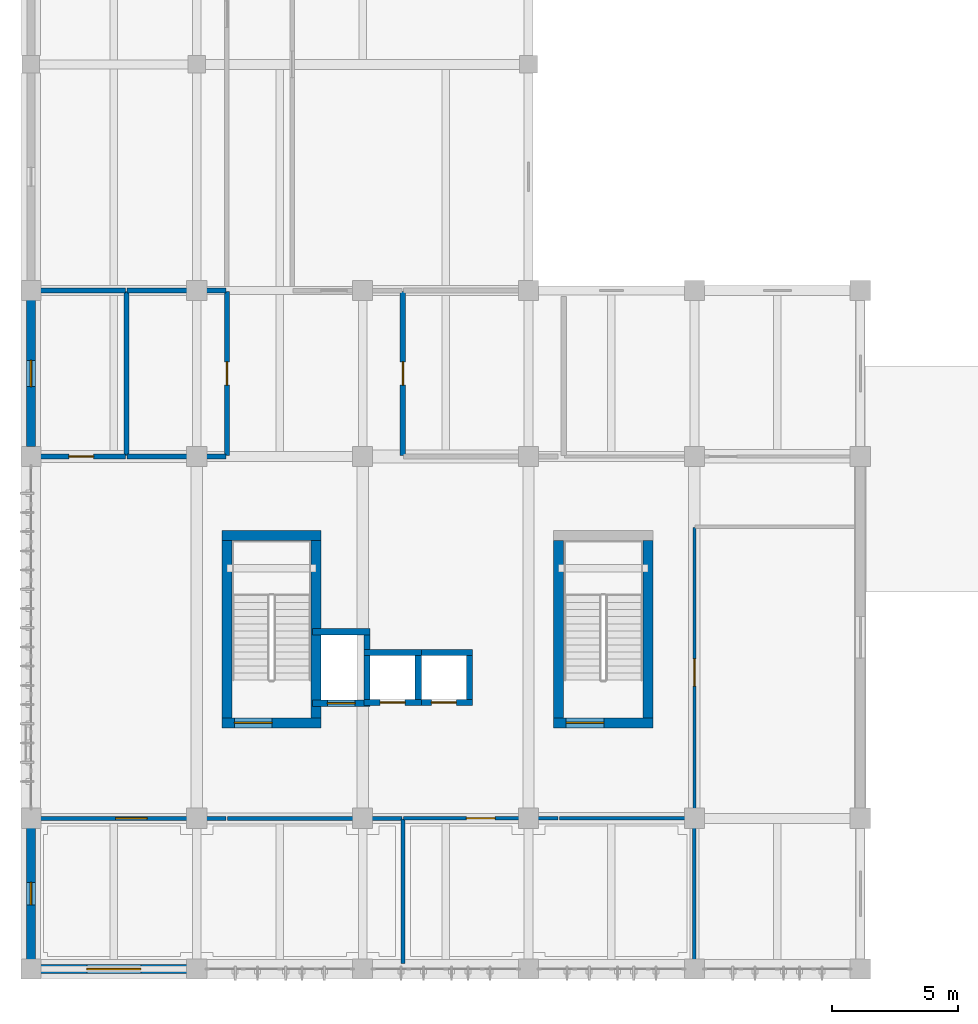
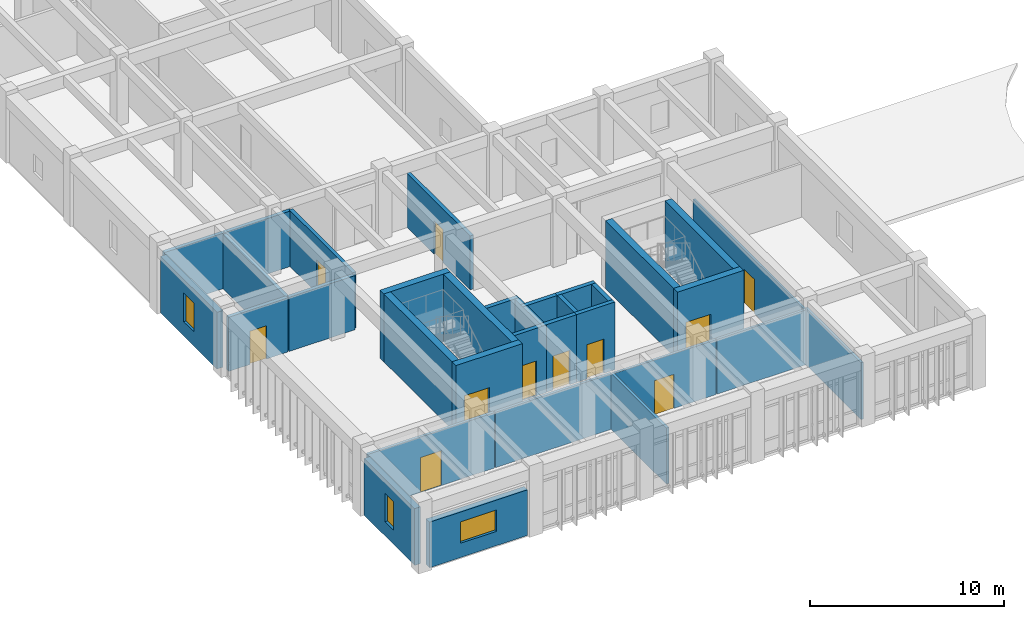
# One storey, part 29 of 34: 33 walls, 11 doors, 3 windows, 14 openings.
"""IFC4 building model written with IfcOpenShell, lengths in metres."""

import ifcopenshell
import ifcopenshell.guid

model = None  # the IFC model being written
_history = None  # IfcOwnerHistory: only IFC2X3 demands one
_inside = {}  # id of a spatial element -> (the spatial element, [elements in it])
_under = {}  # id of a project, library or spatial element -> (it, [spatial elements below it])
_declared = {}  # id of a project -> (the project, [libraries it declares])
_typed = {}  # id of a type object -> (the type object, [elements of that type])
_made_of = {}  # id of a material, layer set ... -> (it, [elements and type objects made of it])


def new_model(schema):
    """Start an empty IFC model of exactly this schema.

    Asked for "IFC4X3", IfcOpenShell would pick the latest addendum, in which some entities
    have other attributes; the version numbers below select the first issue.
    IFC2X3 requires an IfcOwnerHistory on every rooted entity: one is made here for all.
    """
    global model, _history
    if schema == "IFC4X3":
        model = ifcopenshell.file(schema_version=(4, 3, 0, 0))
    else:
        model = ifcopenshell.file(schema=schema)
    _inside.clear()
    _under.clear()
    _declared.clear()
    _typed.clear()
    _made_of.clear()
    _history = None
    if model.schema == "IFC2X3":
        org = make("IfcOrganization", Name="unknown")
        user = make(
            "IfcPersonAndOrganization",
            ThePerson=make("IfcPerson", FamilyName="unknown"),
            TheOrganization=org,
        )
        app = make(
            "IfcApplication",
            ApplicationDeveloper=org,
            Version="unknown",
            ApplicationFullName="unknown",
            ApplicationIdentifier="unknown",
        )
        _history = make(
            "IfcOwnerHistory",
            OwningUser=user,
            OwningApplication=app,
            ChangeAction="ADDED",
            CreationDate=0,
        )
    return model


def make(cls, **values):
    """One entity of the class cls with the attributes given. An attribute that is None is left unset."""
    return model.create_entity(
        cls, **{name: value for name, value in values.items() if value is not None}
    )


def rooted(cls, **values):
    """An entity with a GlobalId (a new one), such as an element, a storey or a relation."""
    return make(cls, GlobalId=ifcopenshell.guid.new(), OwnerHistory=_history, **values)


def si_unit(unit_type, name, prefix=None):
    """IfcSIUnit, for example si_unit("LENGTHUNIT", "METRE", prefix="MILLI")."""
    return make("IfcSIUnit", UnitType=unit_type, Prefix=prefix, Name=name)


def assignment(units):
    """IfcUnitAssignment: the units of a project."""
    return None if units is None else make("IfcUnitAssignment", Units=units)


def point(xyz):
    """IfcCartesianPoint."""
    return None if xyz is None else make("IfcCartesianPoint", Coordinates=xyz)


def direction(xyz):
    """IfcDirection."""
    return None if xyz is None else make("IfcDirection", DirectionRatios=xyz)


def frame(location, z_axis=None, x_axis=None):
    """IfcAxis2Placement3D, a coordinate frame: its origin and axes. An axis left out is left unset."""
    return make(
        "IfcAxis2Placement3D",
        Location=point(location),
        Axis=direction(z_axis),
        RefDirection=direction(x_axis),
    )


def frame_2d(location, x_axis=None):
    """IfcAxis2Placement2D, a coordinate frame in the plane: its origin and x axis."""
    return make(
        "IfcAxis2Placement2D", Location=point(location), RefDirection=direction(x_axis)
    )


def origin():
    """The frame at (0, 0, 0) with its axes left unset."""
    return frame((0.0, 0.0, 0.0))


def place(relative_to, where):
    """IfcLocalPlacement: puts the frame where relative to a parent placement (None: the world)."""
    return make(
        "IfcLocalPlacement", PlacementRelTo=relative_to, RelativePlacement=where
    )


def context(
    kind, dimensions, precision=None, world=None, true_north=None, identifier=None
):
    """IfcGeometricRepresentationContext, for example the 3D "Model" context."""
    return make(
        "IfcGeometricRepresentationContext",
        ContextIdentifier=identifier,
        ContextType=kind,
        CoordinateSpaceDimension=dimensions,
        Precision=precision,
        WorldCoordinateSystem=world,
        TrueNorth=true_north,
    )


def subcontext(parent, identifier, kind, view, scale=None):
    """IfcGeometricRepresentationSubContext, for example "Body" below "Model"."""
    return make(
        "IfcGeometricRepresentationSubContext",
        ContextIdentifier=identifier,
        ContextType=kind,
        ParentContext=parent,
        TargetScale=scale,
        TargetView=view,
    )


def project(units=None, contexts=None):
    """IfcProject with its units and contexts."""
    return rooted(
        "IfcProject",
        Name="project",
        RepresentationContexts=contexts,
        UnitsInContext=assignment(units),
    )


def spatial(cls, under=None, at=None, **own):
    """A site, building, storey or space (cls), placed at a placement, below another one or the project."""
    s = rooted(cls, ObjectPlacement=at, **own)
    if under is not None:
        _under.setdefault(under.id(), (under, []))[1].append(s)
    return s


def profile(cls, at=None, kind="AREA", **sizes):
    """A parametric profile (cls). Its sizes go by their IFC names, for example OverallWidth=200.0."""
    return make(cls, ProfileType=kind, Position=at, **sizes)


def rectangle(**sizes):
    """IfcRectangleProfileDef."""
    return profile("IfcRectangleProfileDef", **sizes)


def extrude(swept, where, along, depth):
    """IfcExtrudedAreaSolid: the profile swept, set in the frame where, extruded along a direction by depth."""
    return make(
        "IfcExtrudedAreaSolid",
        SweptArea=swept,
        Position=where,
        ExtrudedDirection=direction(along),
        Depth=depth,
    )


def shape(context_of_items, identifier, shape_type, items):
    """IfcShapeRepresentation: the items that make up one representation, for example the "Body"."""
    return make(
        "IfcShapeRepresentation",
        ContextOfItems=context_of_items,
        RepresentationIdentifier=identifier,
        RepresentationType=shape_type,
        Items=items,
    )


def material(Name=None, Category=None):
    """IfcMaterial."""
    return make("IfcMaterial", Name=Name, Category=Category)


def layer(
    of_material, thickness, ventilated=None, Name=None, Category=None, Priority=None
):
    """IfcMaterialLayer: one layer of a wall or slab, of a material (None: an air gap)."""
    return make(
        "IfcMaterialLayer",
        Material=of_material,
        LayerThickness=thickness,
        IsVentilated=ventilated,
        Name=Name,
        Category=Category,
        Priority=Priority,
    )


def layer_set(layers, Name=None):
    """IfcMaterialLayerSet."""
    return make("IfcMaterialLayerSet", MaterialLayers=layers, LayerSetName=Name)


def made_of(thing, what):
    """Note that an element or type object is made of a material, layer set ...; save() writes the relation."""
    if what is not None:
        _made_of.setdefault(what.id(), (what, []))[1].append(thing)
    return thing


def type_object(cls, material=None, **own):
    """A type object (cls), such as IfcWallType, which elements share."""
    return made_of(rooted(cls, **own), material)


def element(
    cls,
    number,
    at=None,
    inside=None,
    cuts=None,
    type_object=None,
    material=None,
    context=None,
    identifier="Body",
    shape_type=None,
    held_by="IfcProductDefinitionShape",
    body=None,
    shapes=None,
    **own,
):
    """One element of the class cls, such as IfcWall. Its Tag is "e" and its number.

    at: its placement. inside: the storey or other place that contains it. cuts: it is an
    opening in that element (IfcRelVoidsElement). A single representation is given by context,
    identifier, shape_type and body (its items); several are given by shapes. held_by: the class
    of the entity that holds the representations. save() writes the other relations.
    """
    e = rooted(cls, Tag="e%d" % number, ObjectPlacement=at, **own)
    if body is not None:
        shapes = [shape(context, identifier, shape_type, body)]
    if shapes is not None:
        e.Representation = make(held_by, Representations=shapes)
    if inside is not None:
        _inside.setdefault(inside.id(), (inside, []))[1].append(e)
    if cuts is not None:
        rooted(
            "IfcRelVoidsElement", RelatingBuildingElement=cuts, RelatedOpeningElement=e
        )
    if type_object is not None:
        _typed.setdefault(type_object.id(), (type_object, []))[1].append(e)
    return made_of(e, material)


def fill(opening, filler):
    """IfcRelFillsElement: the door or window that sits in an opening."""
    return rooted(
        "IfcRelFillsElement",
        RelatingOpeningElement=opening,
        RelatedBuildingElement=filler,
    )


def aggregate(whole, parts):
    """IfcRelAggregates: a whole, such as a stair, and the parts it consists of."""
    return rooted("IfcRelAggregates", RelatingObject=whole, RelatedObjects=parts)


def save(model, path):
    """Write the relations noted so far, then the file.

    IfcRelAggregates (storeys below a building ...), IfcRelContainedInSpatialStructure (elements
    in a storey), IfcRelDefinesByType, IfcRelAssociatesMaterial and IfcRelDeclares: one each for
    every whole, place, type object, material and project.
    """
    for whole, parts in _under.values():
        aggregate(whole, parts)
    for where, things in _inside.values():
        rooted(
            "IfcRelContainedInSpatialStructure",
            RelatedElements=things,
            RelatingStructure=where,
        )
    for kind, things in _typed.values():
        rooted("IfcRelDefinesByType", RelatedObjects=things, RelatingType=kind)
    for what, things in _made_of.values():
        rooted("IfcRelAssociatesMaterial", RelatedObjects=things, RelatingMaterial=what)
    for by, libraries in _declared.values():
        rooted("IfcRelDeclares", RelatingContext=by, RelatedDefinitions=libraries)
    model.write(path)


model = new_model("IFC4")

# Units and contexts
model_context = context("Model", 3, precision=1e-05, world=origin(), true_north=direction((0.0, 1.0)))
body_context = subcontext(model_context, "Body", "Model", "MODEL_VIEW")
ifc_project = project(units=[si_unit("LENGTHUNIT", "METRE"), si_unit("AREAUNIT", "SQUARE_METRE"), si_unit("VOLUMEUNIT", "CUBIC_METRE"), si_unit("PLANEANGLEUNIT", "RADIAN"), si_unit("MASSUNIT", "GRAM", prefix="KILO")], contexts=[model_context])

# Site, building, storey
site_placement = place(None, origin())
site = spatial("IfcSite", under=ifc_project, at=site_placement, CompositionType="ELEMENT")
building_placement = place(site_placement, origin())
building = spatial("IfcBuilding", under=site, at=building_placement, Name="Miralva Faculty of Natural Sciences", CompositionType="ELEMENT")
storey_placement = place(building_placement, frame((0.0, 0.0, 24.0)))
storey = spatial("IfcBuildingStorey", under=building, at=storey_placement, Name="L05", CompositionType="ELEMENT", Elevation=24.0)

# Wall, opening, door
ifc_material_1 = material(Name="Concrete C50/60", Category="concrete")
ifc_layer_1 = layer(ifc_material_1, 0.39990234375, Name="WL-CW01")
ifc_layer_set_1 = layer_set([ifc_layer_1], Name="Concrete C50/60")
wall_type_1 = type_object("IfcWallType", Name="WL-CW01", PredefinedType="SHEAR", material=ifc_layer_set_1)
wall_1_placement = place(storey_placement, frame((10.60009765625, 12.800048828125, 0.0), z_axis=(0.0, 0.0, 1.0), x_axis=(1.0, 0.0, 0.0)))
wall_1 = element("IfcWall", 1, at=wall_1_placement, inside=storey, type_object=wall_type_1, Name="Core C1 shear wall south L05", PredefinedType="SHEAR", context=body_context, shape_type="SweptSolid", body=[
    extrude(rectangle(XDim=3.949951171875, YDim=0.39990234375, at=frame_2d((1.97509765625, 0.0))), origin(), (0.0, 0.0, 1.0), 4.280029296875),
])
opening_1_placement = place(wall_1_placement, frame((0.5, 0.0, 0.0)))
opening_1 = element("IfcOpeningElement", 2, at=opening_1_placement, cuts=wall_1, Name="Opening D-11", PredefinedType="OPENING", context=body_context, shape_type="SweptSolid", body=[
    extrude(rectangle(XDim=1.5, YDim=2.199951171875, at=frame_2d((0.75, 1.10009765625))), frame((0.0, 0.2099609375, 0.0), z_axis=(0.0, -1.0, 0.0), x_axis=(1.0, 0.0, 0.0)), (0.0, 0.0, 1.0), 0.419921875),
])
ifc_material_2 = material(Name="Galvanised steel", Category="steel")
door_type_1 = type_object("IfcDoorType", Name="DR-DI11", OperationType="DOUBLE_DOOR_SINGLE_SWING", PredefinedType="DOOR", material=ifc_material_2)
door_1_placement = place(opening_1_placement, frame((1.5, 0.0, 0.0), z_axis=(0.0, 0.0, 1.0), x_axis=(-1.0, 0.0, 0.0)))
door_1 = element("IfcDoor", 3, at=door_1_placement, inside=storey, type_object=door_type_1, Name="Protected exit stair door Core C1 L05", OperationType="DOUBLE_DOOR_SINGLE_SWING", OverallHeight=2.199951171875, OverallWidth=1.5, PredefinedType="DOOR", context=body_context, shape_type="SweptSolid", body=[
    extrude(rectangle(XDim=1.5, YDim=2.199951171875, at=frame_2d((0.75, 1.10009765625))), frame((0.0, 0.02490234375, 0.0), z_axis=(0.0, -1.0, 0.0), x_axis=(1.0, 0.0, 0.0)), (0.0, 0.0, 1.0), 0.050048828125),
])
fill(opening_1, door_1)

# Walls
wall_2_placement = place(storey_placement, frame((10.60009765625, 20.25, 0.0), z_axis=(0.0, 0.0, 1.0), x_axis=(1.0, 0.0, 0.0)))
element("IfcWall", 4, at=wall_2_placement, inside=storey, type_object=wall_type_1, Name="Core C1 shear wall north L05", PredefinedType="SHEAR", context=body_context, shape_type="SweptSolid", body=[
    extrude(rectangle(XDim=3.949951171875, YDim=0.39990234375, at=frame_2d((1.97509765625, 0.0))), origin(), (0.0, 0.0, 1.0), 4.280029296875),
])
for number, where, z_axis, x_axis, name in (
    (5, (10.800048828125, 13.0, 0.0), (0.0, 0.0, 1.0), (0.0, 1.0, 0.0), "Core C1 shear wall west L05"),
    (6, (14.35009765625, 13.0, 0.0), (0.0, 0.0, 1.0), (0.0, 1.0, 0.0), "Core C1 shear wall east L05"),
):
    element("IfcWall", number, at=place(storey_placement, frame(where, z_axis=z_axis, x_axis=x_axis)), inside=storey, type_object=wall_type_1, Name=name, PredefinedType="SHEAR", context=body_context, shape_type="SweptSolid", body=[
        extrude(rectangle(XDim=7.050048828125, YDim=0.39990234375, at=frame_2d((3.52490234375, 0.0))), origin(), (0.0, 0.0, 1.0), 4.280029296875),
    ])

# Wall, opening, door
wall_3_placement = place(storey_placement, frame((23.800048828125, 12.800048828125, 0.0), z_axis=(0.0, 0.0, 1.0), x_axis=(1.0, 0.0, 0.0)))
wall_3 = element("IfcWall", 7, at=wall_3_placement, inside=storey, type_object=wall_type_1, Name="Core C1B shear wall south L05", PredefinedType="SHEAR", context=body_context, shape_type="SweptSolid", body=[
    extrude(rectangle(XDim=3.949951171875, YDim=0.39990234375, at=frame_2d((1.97509765625, 0.0))), origin(), (0.0, 0.0, 1.0), 4.280029296875),
])
opening_2_placement = place(wall_3_placement, frame((0.5, 0.0, 0.0)))
opening_2 = element("IfcOpeningElement", 8, at=opening_2_placement, cuts=wall_3, Name="Opening D-11", PredefinedType="OPENING", context=body_context, shape_type="SweptSolid", body=[
    extrude(rectangle(XDim=1.5, YDim=2.199951171875, at=frame_2d((0.75, 1.10009765625))), frame((0.0, 0.2099609375, 0.0), z_axis=(0.0, -1.0, 0.0), x_axis=(1.0, 0.0, 0.0)), (0.0, 0.0, 1.0), 0.419921875),
])
door_2_placement = place(opening_2_placement, frame((1.5, 0.0, 0.0), z_axis=(0.0, 0.0, 1.0), x_axis=(-1.0, 0.0, 0.0)))
door_2 = element("IfcDoor", 9, at=door_2_placement, inside=storey, type_object=door_type_1, Name="Protected exit stair door Core C1B L05", OperationType="DOUBLE_DOOR_SINGLE_SWING", OverallHeight=2.199951171875, OverallWidth=1.5, PredefinedType="DOOR", context=body_context, shape_type="SweptSolid", body=[
    extrude(rectangle(XDim=1.5, YDim=2.199951171875, at=frame_2d((0.75, 1.10009765625))), frame((0.0, 0.02490234375, 0.0), z_axis=(0.0, -1.0, 0.0), x_axis=(1.0, 0.0, 0.0)), (0.0, 0.0, 1.0), 0.050048828125),
])
fill(opening_2, door_2)

# Walls
for number, where, z_axis, x_axis, name in (
    (10, (24.0, 13.0, 0.0), (0.0, 0.0, 1.0), (0.0, 1.0, 0.0), "Core C1B shear wall west L05"),
    (11, (27.550048828125, 13.0, 0.0), (0.0, 0.0, 1.0), (0.0, 1.0, 0.0), "Core C1B shear wall east L05"),
):
    element("IfcWall", number, at=place(storey_placement, frame(where, z_axis=z_axis, x_axis=x_axis)), inside=storey, type_object=wall_type_1, Name=name, PredefinedType="SHEAR", context=body_context, shape_type="SweptSolid", body=[
        extrude(rectangle(XDim=7.050048828125, YDim=0.39990234375, at=frame_2d((3.52490234375, 0.0))), origin(), (0.0, 0.0, 1.0), 4.280029296875),
    ])

# Wall, opening, door
ifc_material_3 = material(Name="Concrete C40/50", Category="concrete")
ifc_layer_2 = layer(ifc_material_3, 0.25, Name="WL-CW04")
ifc_layer_set_2 = layer_set([ifc_layer_2], Name="Concrete C40/50")
wall_type_2 = type_object("IfcWallType", Name="WL-CW04", PredefinedType="SHEAR", material=ifc_layer_set_2)
wall_4_placement = place(storey_placement, frame((14.205078125, 13.580078125, 0.0), z_axis=(0.0, 0.0, 1.0), x_axis=(1.0, 0.0, 0.0)))
wall_4 = element("IfcWall", 12, at=wall_4_placement, inside=storey, type_object=wall_type_2, Name="Lift L-01 hoistway front wall L05", PredefinedType="SHEAR", context=body_context, shape_type="SweptSolid", body=[
    extrude(rectangle(XDim=2.2900390625, YDim=0.25, at=frame_2d((1.14501953125, 0.0))), origin(), (0.0, 0.0, 1.0), 4.260009765625),
])
opening_3_placement = place(wall_4_placement, frame((0.594970703125, 0.0, 0.0)))
opening_3 = element("IfcOpeningElement", 13, at=opening_3_placement, cuts=wall_4, Name="Opening LD-01", PredefinedType="OPENING", context=body_context, shape_type="SweptSolid", body=[
    extrude(rectangle(XDim=1.10009765625, YDim=2.199951171875, at=frame_2d((0.550048828125, 1.10009765625))), frame((0.0, 0.135009765625, 0.0), z_axis=(0.0, -1.0, 0.0), x_axis=(1.0, 0.0, 0.0)), (0.0, 0.0, 1.0), 0.27001953125),
])
door_type_2 = type_object("IfcDoorType", Name="DR-LD01", OperationType="SLIDING_TO_LEFT", PredefinedType="DOOR", material=ifc_material_2)
door_3_placement = place(opening_3_placement, frame((1.10009765625, 0.0, 0.0), z_axis=(0.0, 0.0, 1.0), x_axis=(-1.0, 0.0, 0.0)))
door_3 = element("IfcDoor", 14, at=door_3_placement, inside=storey, type_object=door_type_2, Name="Lift L-01 sliding landing door L05", OperationType="SLIDING_TO_LEFT", OverallHeight=2.199951171875, OverallWidth=1.10009765625, PredefinedType="DOOR", context=body_context, shape_type="SweptSolid", body=[
    extrude(rectangle(XDim=1.10009765625, YDim=2.199951171875, at=frame_2d((0.550048828125, 1.10009765625))), frame((0.0, 0.02490234375, 0.0), z_axis=(0.0, -1.0, 0.0), x_axis=(1.0, 0.0, 0.0)), (0.0, 0.0, 1.0), 0.050048828125),
])
fill(opening_3, door_3)

# Walls
wall_5_placement = place(storey_placement, frame((14.205078125, 16.419921875, 0.0), z_axis=(0.0, 0.0, 1.0), x_axis=(1.0, 0.0, 0.0)))
element("IfcWall", 15, at=wall_5_placement, inside=storey, type_object=wall_type_2, Name="Lift L-01 hoistway rear wall L05", PredefinedType="SHEAR", context=body_context, shape_type="SweptSolid", body=[
    extrude(rectangle(XDim=2.2900390625, YDim=0.25, at=frame_2d((1.14501953125, 0.0))), origin(), (0.0, 0.0, 1.0), 4.260009765625),
])
wall_6_placement = place(storey_placement, frame((16.3701171875, 13.705078125, 0.0), z_axis=(0.0, 0.0, 1.0), x_axis=(0.0, 1.0, 0.0)))
element("IfcWall", 16, at=wall_6_placement, inside=storey, type_object=wall_type_2, Name="Lift L-01 hoistway E wall L05", PredefinedType="SHEAR", context=body_context, shape_type="SweptSolid", body=[
    extrude(rectangle(XDim=2.58984375, YDim=0.25, at=frame_2d((1.294921875, 0.0))), origin(), (0.0, 0.0, 1.0), 4.260009765625),
])

# Wall, opening, door
wall_7_placement = place(storey_placement, frame((16.2451171875, 13.60498046875, 0.0), z_axis=(0.0, 0.0, 1.0), x_axis=(1.0, 0.0, 0.0)))
wall_7 = element("IfcWall", 17, at=wall_7_placement, inside=storey, type_object=wall_type_2, Name="Lift L-02 hoistway front wall L05", PredefinedType="SHEAR", context=body_context, shape_type="SweptSolid", body=[
    extrude(rectangle(XDim=2.289794921875, YDim=0.25, at=frame_2d((1.14501953125, 0.0))), origin(), (0.0, 0.0, 1.0), 4.260009765625),
])
opening_4_placement = place(wall_7_placement, frame((0.64501953125, 0.0, 0.0)))
opening_4 = element("IfcOpeningElement", 18, at=opening_4_placement, cuts=wall_7, Name="Opening LD-02", PredefinedType="OPENING", context=body_context, shape_type="SweptSolid", body=[
    extrude(rectangle(XDim=1.0, YDim=2.14990234375, at=frame_2d((0.5, 1.074951171875))), frame((0.0, 0.135009765625, 0.0), z_axis=(0.0, -1.0, 0.0), x_axis=(1.0, 0.0, 0.0)), (0.0, 0.0, 1.0), 0.27001953125),
])
door_type_3 = type_object("IfcDoorType", Name="DR-LD02", OperationType="SLIDING_TO_LEFT", PredefinedType="DOOR", material=ifc_material_2)
door_4_placement = place(opening_4_placement, frame((1.0, 0.0, 0.0), z_axis=(0.0, 0.0, 1.0), x_axis=(-1.0, 0.0, 0.0)))
door_4 = element("IfcDoor", 19, at=door_4_placement, inside=storey, type_object=door_type_3, Name="Lift L-02 sliding landing door L05", OperationType="SLIDING_TO_LEFT", OverallHeight=2.14990234375, OverallWidth=1.0, PredefinedType="DOOR", context=body_context, shape_type="SweptSolid", body=[
    extrude(rectangle(XDim=1.0, YDim=2.14990234375, at=frame_2d((0.5, 1.074951171875))), frame((0.0, 0.02490234375, 0.0), z_axis=(0.0, -1.0, 0.0), x_axis=(1.0, 0.0, 0.0)), (0.0, 0.0, 1.0), 0.050048828125),
])
fill(opening_4, door_4)

# Walls
wall_8_placement = place(storey_placement, frame((16.2451171875, 15.594970703125, 0.0), z_axis=(0.0, 0.0, 1.0), x_axis=(1.0, 0.0, 0.0)))
element("IfcWall", 20, at=wall_8_placement, inside=storey, type_object=wall_type_2, Name="Lift L-02 hoistway rear wall L05", PredefinedType="SHEAR", context=body_context, shape_type="SweptSolid", body=[
    extrude(rectangle(XDim=2.289794921875, YDim=0.25, at=frame_2d((1.14501953125, 0.0))), origin(), (0.0, 0.0, 1.0), 4.260009765625),
])
wall_9_placement = place(storey_placement, frame((18.409912109375, 13.72998046875, 0.0), z_axis=(0.0, 0.0, 1.0), x_axis=(0.0, 1.0, 0.0)))
element("IfcWall", 21, at=wall_9_placement, inside=storey, type_object=wall_type_2, Name="Lift L-02 hoistway E wall L05", PredefinedType="SHEAR", context=body_context, shape_type="SweptSolid", body=[
    extrude(rectangle(XDim=1.739990234375, YDim=0.25, at=frame_2d((0.8701171875, 0.0))), origin(), (0.0, 0.0, 1.0), 4.260009765625),
])

# Wall, opening, door
wall_10_placement = place(storey_placement, frame((18.284912109375, 13.60498046875, 0.0), z_axis=(0.0, 0.0, 1.0), x_axis=(1.0, 0.0, 0.0)))
wall_10 = element("IfcWall", 22, at=wall_10_placement, inside=storey, type_object=wall_type_2, Name="Lift L-03 hoistway front wall L05", PredefinedType="SHEAR", context=body_context, shape_type="SweptSolid", body=[
    extrude(rectangle(XDim=2.2900390625, YDim=0.25, at=frame_2d((1.14501953125, 0.0))), origin(), (0.0, 0.0, 1.0), 4.260009765625),
])
opening_5_placement = place(wall_10_placement, frame((0.64501953125, 0.0, 0.0)))
opening_5 = element("IfcOpeningElement", 23, at=opening_5_placement, cuts=wall_10, Name="Opening LD-02", PredefinedType="OPENING", context=body_context, shape_type="SweptSolid", body=[
    extrude(rectangle(XDim=1.0, YDim=2.14990234375, at=frame_2d((0.5, 1.074951171875))), frame((0.0, 0.135009765625, 0.0), z_axis=(0.0, -1.0, 0.0), x_axis=(1.0, 0.0, 0.0)), (0.0, 0.0, 1.0), 0.27001953125),
])
door_5_placement = place(opening_5_placement, frame((1.0, 0.0, 0.0), z_axis=(0.0, 0.0, 1.0), x_axis=(-1.0, 0.0, 0.0)))
door_5 = element("IfcDoor", 24, at=door_5_placement, inside=storey, type_object=door_type_3, Name="Lift L-03 sliding landing door L05", OperationType="SLIDING_TO_LEFT", OverallHeight=2.14990234375, OverallWidth=1.0, PredefinedType="DOOR", context=body_context, shape_type="SweptSolid", body=[
    extrude(rectangle(XDim=1.0, YDim=2.14990234375, at=frame_2d((0.5, 1.074951171875))), frame((0.0, 0.02490234375, 0.0), z_axis=(0.0, -1.0, 0.0), x_axis=(1.0, 0.0, 0.0)), (0.0, 0.0, 1.0), 0.050048828125),
])
fill(opening_5, door_5)

# Walls
wall_11_placement = place(storey_placement, frame((18.284912109375, 15.594970703125, 0.0), z_axis=(0.0, 0.0, 1.0), x_axis=(1.0, 0.0, 0.0)))
element("IfcWall", 25, at=wall_11_placement, inside=storey, type_object=wall_type_2, Name="Lift L-03 hoistway rear wall L05", PredefinedType="SHEAR", context=body_context, shape_type="SweptSolid", body=[
    extrude(rectangle(XDim=2.2900390625, YDim=0.25, at=frame_2d((1.14501953125, 0.0))), origin(), (0.0, 0.0, 1.0), 4.260009765625),
])
wall_12_placement = place(storey_placement, frame((20.449951171875, 13.72998046875, 0.0), z_axis=(0.0, 0.0, 1.0), x_axis=(0.0, 1.0, 0.0)))
element("IfcWall", 26, at=wall_12_placement, inside=storey, type_object=wall_type_2, Name="Lift L-03 hoistway E wall L05", PredefinedType="SHEAR", context=body_context, shape_type="SweptSolid", body=[
    extrude(rectangle(XDim=1.739990234375, YDim=0.25, at=frame_2d((0.8701171875, 0.0))), origin(), (0.0, 0.0, 1.0), 4.260009765625),
])
ifc_material_4 = material(Name="Gypsum plasterboard")
ifc_layer_3 = layer(ifc_material_4, 0.159912109375, Name="WL-PT03")
ifc_layer_set_3 = layer_set([ifc_layer_3], Name="Gypsum plasterboard")
wall_type_3 = type_object("IfcWallType", Name="WL-PT03", PredefinedType="PARTITIONING", material=ifc_layer_set_3)
wall_13_placement = place(storey_placement, frame((17.800048828125, 3.22998046875, 0.0), z_axis=(0.0, 0.0, 1.0), x_axis=(0.0, 1.0, 0.0)))
element("IfcWall", 27, at=wall_13_placement, inside=storey, type_object=wall_type_3, Name="Interior partition PT-03 L05-457", PredefinedType="PARTITIONING", context=body_context, shape_type="SweptSolid", body=[
    extrude(rectangle(XDim=5.739990234375, YDim=0.159912109375, at=frame_2d((2.8701171875, 0.0))), origin(), (0.0, 0.0, 1.0), 3.52490234375),
])

# Wall, opening, door
wall_14_placement = place(storey_placement, frame((3.22998046875, 9.0, 0.0), z_axis=(0.0, 0.0, 1.0), x_axis=(1.0, 0.0, 0.0)))
wall_14 = element("IfcWall", 28, at=wall_14_placement, inside=storey, type_object=wall_type_3, Name="Interior partition PT-03 L05-458", PredefinedType="PARTITIONING", context=body_context, shape_type="SweptSolid", body=[
    extrude(rectangle(XDim=7.5400390625, YDim=0.159912109375, at=frame_2d((3.77001953125, 0.0))), origin(), (0.0, 0.0, 1.0), 3.4951171875),
])
opening_6_placement = place(wall_14_placement, frame((3.14501953125, 0.0, 0.0)))
opening_6 = element("IfcOpeningElement", 29, at=opening_6_placement, cuts=wall_14, Name="Opening D-23", PredefinedType="OPENING", context=body_context, shape_type="SweptSolid", body=[
    extrude(rectangle(XDim=1.25, YDim=2.199951171875, at=frame_2d((0.625, 1.10009765625))), frame((0.0, 0.08984375, 0.0), z_axis=(0.0, -1.0, 0.0), x_axis=(1.0, 0.0, 0.0)), (0.0, 0.0, 1.0), 0.179931640625),
])
ifc_material_5 = material(Name="Anodised aluminium", Category="aluminium")
door_type_4 = type_object("IfcDoorType", Name="DR-DI23", OperationType="NOTDEFINED", PredefinedType="DOOR", material=ifc_material_5)
door_6_placement = place(opening_6_placement, origin())
door_6 = element("IfcDoor", 30, at=door_6_placement, inside=storey, type_object=door_type_4, Name="Interior door D-23 L05-168", OperationType="SINGLE_SWING_RIGHT", OverallHeight=2.199951171875, OverallWidth=1.25, PredefinedType="DOOR", context=body_context, shape_type="SweptSolid", body=[
    extrude(rectangle(XDim=1.25, YDim=2.199951171875, at=frame_2d((0.625, 1.10009765625))), frame((0.0, 0.02490234375, 0.0), z_axis=(0.0, -1.0, 0.0), x_axis=(1.0, 0.0, 0.0)), (0.0, 0.0, 1.0), 0.050048828125),
])
fill(opening_6, door_6)

# Walls
wall_15_placement = place(storey_placement, frame((10.830078125, 9.0, 0.0), z_axis=(0.0, 0.0, 1.0), x_axis=(1.0, 0.0, 0.0)))
element("IfcWall", 31, at=wall_15_placement, inside=storey, type_object=wall_type_3, Name="Interior partition PT-03 L05-459", PredefinedType="PARTITIONING", context=body_context, shape_type="SweptSolid", body=[
    extrude(rectangle(XDim=6.93994140625, YDim=0.159912109375, at=frame_2d((3.469970703125, 0.0))), origin(), (0.0, 0.0, 1.0), 3.4951171875),
])
ifc_layer_4 = layer(ifc_material_4, 0.139892578125, Name="WL-PT04")
ifc_layer_set_4 = layer_set([ifc_layer_4], Name="Gypsum plasterboard")
wall_type_4 = type_object("IfcWallType", Name="WL-PT04", PredefinedType="PARTITIONING", material=ifc_layer_set_4)
wall_16_placement = place(storey_placement, frame((29.39990234375, 3.22998046875, 0.0), z_axis=(0.0, 0.0, 1.0), x_axis=(0.0, 1.0, 0.0)))
element("IfcWall", 32, at=wall_16_placement, inside=storey, type_object=wall_type_4, Name="Interior partition PT-04 L05-460", PredefinedType="PARTITIONING", context=body_context, shape_type="SweptSolid", body=[
    extrude(rectangle(XDim=5.739990234375, YDim=0.139892578125, at=frame_2d((2.8701171875, 0.0))), origin(), (0.0, 0.0, 1.0), 3.574951171875),
])
wall_17_placement = place(storey_placement, frame((24.030029296875, 9.0, 0.0), z_axis=(0.0, 0.0, 1.0), x_axis=(1.0, 0.0, 0.0)))
element("IfcWall", 33, at=wall_17_placement, inside=storey, type_object=wall_type_4, Name="Interior partition PT-04 L05-461", PredefinedType="PARTITIONING", context=body_context, shape_type="SweptSolid", body=[
    extrude(rectangle(XDim=5.340087890625, YDim=0.139892578125, at=frame_2d((2.669921875, 0.0))), origin(), (0.0, 0.0, 1.0), 3.455078125),
])

# Wall, opening, door
wall_18_placement = place(storey_placement, frame((17.830078125, 9.0, 0.0), z_axis=(0.0, 0.0, 1.0), x_axis=(1.0, 0.0, 0.0)))
wall_18 = element("IfcWall", 34, at=wall_18_placement, inside=storey, type_object=wall_type_4, Name="Interior partition PT-04 L05-462", PredefinedType="PARTITIONING", context=body_context, shape_type="SweptSolid", body=[
    extrude(rectangle(XDim=6.139892578125, YDim=0.139892578125, at=frame_2d((3.06982421875, 0.0))), origin(), (0.0, 0.0, 1.0), 3.455078125),
])
opening_7_placement = place(wall_18_placement, frame((2.4951171875, 0.0, 0.0)))
opening_7 = element("IfcOpeningElement", 35, at=opening_7_placement, cuts=wall_18, Name="Opening D-24", PredefinedType="OPENING", context=body_context, shape_type="SweptSolid", body=[
    extrude(rectangle(XDim=1.14990234375, YDim=2.14990234375, at=frame_2d((0.574951171875, 1.074951171875))), frame((0.0, 0.079833984375, 0.0), z_axis=(0.0, -1.0, 0.0), x_axis=(1.0, 0.0, 0.0)), (0.0, 0.0, 1.0), 0.159912109375),
])
door_type_5 = type_object("IfcDoorType", Name="DR-DI24", OperationType="NOTDEFINED", PredefinedType="DOOR", material=ifc_material_5)
door_7_placement = place(opening_7_placement, origin())
door_7 = element("IfcDoor", 36, at=door_7_placement, inside=storey, type_object=door_type_5, Name="Interior door D-24 L05-169", OperationType="SINGLE_SWING_LEFT", OverallHeight=2.14990234375, OverallWidth=1.14990234375, PredefinedType="DOOR", context=body_context, shape_type="SweptSolid", body=[
    extrude(rectangle(XDim=1.14990234375, YDim=2.14990234375, at=frame_2d((0.574951171875, 1.074951171875))), frame((0.0, 0.02490234375, 0.0), z_axis=(0.0, -1.0, 0.0), x_axis=(1.0, 0.0, 0.0)), (0.0, 0.0, 1.0), 0.050048828125),
])
fill(opening_7, door_7)

ifc_layer_5 = layer(ifc_material_4, 0.125, Name="WL-PT05")
ifc_layer_set_5 = layer_set([ifc_layer_5], Name="Gypsum plasterboard")
wall_type_5 = type_object("IfcWallType", Name="WL-PT05", PredefinedType="PARTITIONING", material=ifc_layer_set_5)
wall_19_placement = place(storey_placement, frame((29.39990234375, 9.030029296875, 0.0), z_axis=(0.0, 0.0, 1.0), x_axis=(0.0, 1.0, 0.0)))
wall_19 = element("IfcWall", 37, at=wall_19_placement, inside=storey, type_object=wall_type_5, Name="Interior partition PT-05 L05-463", PredefinedType="PARTITIONING", context=body_context, shape_type="SweptSolid", body=[
    extrude(rectangle(XDim=11.5400390625, YDim=0.125, at=frame_2d((5.77001953125, 0.0))), origin(), (0.0, 0.0, 1.0), 3.375),
])
opening_8_placement = place(wall_19_placement, frame((5.22998046875, 0.0, 0.0)))
opening_8 = element("IfcOpeningElement", 38, at=opening_8_placement, cuts=wall_19, Name="Opening D-32", PredefinedType="OPENING", context=body_context, shape_type="SweptSolid", body=[
    extrude(rectangle(XDim=1.080078125, YDim=2.14990234375, at=frame_2d((0.5400390625, 1.074951171875))), frame((0.0, 0.072509765625, 0.0), z_axis=(0.0, -1.0, 0.0), x_axis=(1.0, 0.0, 0.0)), (0.0, 0.0, 1.0), 0.14501953125),
])
door_type_6 = type_object("IfcDoorType", Name="DR-DI32", OperationType="NOTDEFINED", PredefinedType="DOOR", material=ifc_material_5)
door_8_placement = place(opening_8_placement, origin())
door_8 = element("IfcDoor", 39, at=door_8_placement, inside=storey, type_object=door_type_6, Name="Interior door D-32 L05-170", OperationType="SINGLE_SWING_RIGHT", OverallHeight=2.14990234375, OverallWidth=1.080078125, PredefinedType="DOOR", context=body_context, shape_type="SweptSolid", body=[
    extrude(rectangle(XDim=1.080078125, YDim=2.14990234375, at=frame_2d((0.5400390625, 1.074951171875))), frame((0.0, 0.02490234375, 0.0), z_axis=(0.0, -1.0, 0.0), x_axis=(1.0, 0.0, 0.0)), (0.0, 0.0, 1.0), 0.050048828125),
])
fill(opening_8, door_8)

# Wall
ifc_layer_6 = layer(ifc_material_4, 0.2099609375, Name="WL-PT06")
ifc_layer_set_6 = layer_set([ifc_layer_6], Name="Gypsum plasterboard")
wall_type_6 = type_object("IfcWallType", Name="WL-PT06", PredefinedType="PLUMBINGWALL", material=ifc_layer_set_6)
wall_20_placement = place(storey_placement, frame((6.800048828125, 23.429931640625, 0.0), z_axis=(0.0, 0.0, 1.0), x_axis=(0.0, 1.0, 0.0)))
element("IfcWall", 40, at=wall_20_placement, inside=storey, type_object=wall_type_6, Name="Interior partition PT-06 L05-465", PredefinedType="PLUMBINGWALL", context=body_context, shape_type="SweptSolid", body=[
    extrude(rectangle(XDim=6.5400390625, YDim=0.2099609375, at=frame_2d((3.27001953125, 0.0))), origin(), (0.0, 0.0, 1.0), 3.4150390625),
])

# Wall, opening, door
wall_21_placement = place(storey_placement, frame((3.22998046875, 23.39990234375, 0.0), z_axis=(0.0, 0.0, 1.0), x_axis=(1.0, 0.0, 0.0)))
wall_21 = element("IfcWall", 41, at=wall_21_placement, inside=storey, type_object=wall_type_6, Name="Interior partition PT-06 L05-466", PredefinedType="PLUMBINGWALL", context=body_context, shape_type="SweptSolid", body=[
    extrude(rectangle(XDim=3.5400390625, YDim=0.2099609375, at=frame_2d((1.77001953125, 0.0))), origin(), (0.0, 0.0, 1.0), 3.4150390625),
])
opening_9_placement = place(wall_21_placement, frame((1.280029296875, 0.0, 0.0)))
opening_9 = element("IfcOpeningElement", 42, at=opening_9_placement, cuts=wall_21, Name="Opening D-26", PredefinedType="OPENING", context=body_context, shape_type="SweptSolid", body=[
    extrude(rectangle(XDim=0.97998046875, YDim=2.10009765625, at=frame_2d((0.489990234375, 1.050048828125))), frame((0.0, 0.114990234375, 0.0), z_axis=(0.0, -1.0, 0.0), x_axis=(1.0, 0.0, 0.0)), (0.0, 0.0, 1.0), 0.22998046875),
])
door_type_7 = type_object("IfcDoorType", Name="DR-DI26", OperationType="NOTDEFINED", PredefinedType="DOOR", material=ifc_material_5)
door_9_placement = place(opening_9_placement, origin())
door_9 = element("IfcDoor", 43, at=door_9_placement, inside=storey, type_object=door_type_7, Name="Interior door D-26 L05-171", OperationType="SINGLE_SWING_LEFT", OverallHeight=2.10009765625, OverallWidth=0.97998046875, PredefinedType="DOOR", context=body_context, shape_type="SweptSolid", body=[
    extrude(rectangle(XDim=0.97998046875, YDim=2.10009765625, at=frame_2d((0.489990234375, 1.050048828125))), frame((0.0, 0.02490234375, 0.0), z_axis=(0.0, -1.0, 0.0), x_axis=(1.0, 0.0, 0.0)), (0.0, 0.0, 1.0), 0.050048828125),
])
fill(opening_9, door_9)

# Walls
wall_22_placement = place(storey_placement, frame((3.22998046875, 30.0, 0.0), z_axis=(0.0, 0.0, 1.0), x_axis=(1.0, 0.0, 0.0)))
element("IfcWall", 44, at=wall_22_placement, inside=storey, type_object=wall_type_6, Name="Interior partition PT-06 L05-467", PredefinedType="PLUMBINGWALL", context=body_context, shape_type="SweptSolid", body=[
    extrude(rectangle(XDim=3.5400390625, YDim=0.2099609375, at=frame_2d((1.77001953125, 0.0))), origin(), (0.0, 0.0, 1.0), 3.4951171875),
])
wall_23_placement = place(storey_placement, frame((6.830078125, 23.39990234375, 0.0), z_axis=(0.0, 0.0, 1.0), x_axis=(1.0, 0.0, 0.0)))
element("IfcWall", 45, at=wall_23_placement, inside=storey, type_object=wall_type_6, Name="Interior partition PT-06 L05-468", PredefinedType="PLUMBINGWALL", context=body_context, shape_type="SweptSolid", body=[
    extrude(rectangle(XDim=3.93994140625, YDim=0.2099609375, at=frame_2d((1.969970703125, 0.0))), origin(), (0.0, 0.0, 1.0), 3.4150390625),
])

# Wall, opening, door
wall_24_placement = place(storey_placement, frame((10.800048828125, 23.429931640625, 0.0), z_axis=(0.0, 0.0, 1.0), x_axis=(0.0, 1.0, 0.0)))
wall_24 = element("IfcWall", 46, at=wall_24_placement, inside=storey, type_object=wall_type_6, Name="Interior partition PT-06 L05-469", PredefinedType="PLUMBINGWALL", context=body_context, shape_type="SweptSolid", body=[
    extrude(rectangle(XDim=6.5400390625, YDim=0.2099609375, at=frame_2d((3.27001953125, 0.0))), origin(), (0.0, 0.0, 1.0), 3.52490234375),
])
opening_10_placement = place(wall_24_placement, frame((2.81005859375, 0.0, 0.0)))
opening_10 = element("IfcOpeningElement", 47, at=opening_10_placement, cuts=wall_24, Name="Opening D-27", PredefinedType="OPENING", context=body_context, shape_type="SweptSolid", body=[
    extrude(rectangle(XDim=0.919921875, YDim=2.10009765625, at=frame_2d((0.4599609375, 1.050048828125))), frame((0.0, 0.114990234375, 0.0), z_axis=(0.0, -1.0, 0.0), x_axis=(1.0, 0.0, 0.0)), (0.0, 0.0, 1.0), 0.22998046875),
])
door_type_8 = type_object("IfcDoorType", Name="DR-DI27", OperationType="NOTDEFINED", PredefinedType="DOOR", material=ifc_material_5)
door_10_placement = place(opening_10_placement, origin())
door_10 = element("IfcDoor", 48, at=door_10_placement, inside=storey, type_object=door_type_8, Name="Interior door D-27 L05-172", OperationType="SINGLE_SWING_RIGHT", OverallHeight=2.10009765625, OverallWidth=0.919921875, PredefinedType="DOOR", context=body_context, shape_type="SweptSolid", body=[
    extrude(rectangle(XDim=0.919921875, YDim=2.10009765625, at=frame_2d((0.4599609375, 1.050048828125))), frame((0.0, 0.02490234375, 0.0), z_axis=(0.0, -1.0, 0.0), x_axis=(1.0, 0.0, 0.0)), (0.0, 0.0, 1.0), 0.050048828125),
])
fill(opening_10, door_10)

# Wall
wall_25_placement = place(storey_placement, frame((6.830078125, 30.0, 0.0), z_axis=(0.0, 0.0, 1.0), x_axis=(1.0, 0.0, 0.0)))
element("IfcWall", 49, at=wall_25_placement, inside=storey, type_object=wall_type_6, Name="Interior partition PT-06 L05-470", PredefinedType="PLUMBINGWALL", context=body_context, shape_type="SweptSolid", body=[
    extrude(rectangle(XDim=3.93994140625, YDim=0.2099609375, at=frame_2d((1.969970703125, 0.0))), origin(), (0.0, 0.0, 1.0), 3.4951171875),
])

# Wall, opening, door
wall_26_placement = place(storey_placement, frame((17.800048828125, 23.429931640625, 0.0), z_axis=(0.0, 0.0, 1.0), x_axis=(0.0, 1.0, 0.0)))
wall_26 = element("IfcWall", 50, at=wall_26_placement, inside=storey, type_object=wall_type_6, Name="Interior partition PT-06 L05-472", PredefinedType="PLUMBINGWALL", context=body_context, shape_type="SweptSolid", body=[
    extrude(rectangle(XDim=6.5400390625, YDim=0.2099609375, at=frame_2d((3.27001953125, 0.0))), origin(), (0.0, 0.0, 1.0), 3.39501953125),
])
opening_11_placement = place(wall_26_placement, frame((2.81005859375, 0.0, 0.0)))
opening_11 = element("IfcOpeningElement", 51, at=opening_11_placement, cuts=wall_26, Name="Opening D-27", PredefinedType="OPENING", context=body_context, shape_type="SweptSolid", body=[
    extrude(rectangle(XDim=0.919921875, YDim=2.10009765625, at=frame_2d((0.4599609375, 1.050048828125))), frame((0.0, 0.114990234375, 0.0), z_axis=(0.0, -1.0, 0.0), x_axis=(1.0, 0.0, 0.0)), (0.0, 0.0, 1.0), 0.22998046875),
])
door_11_placement = place(opening_11_placement, origin())
door_11 = element("IfcDoor", 52, at=door_11_placement, inside=storey, type_object=door_type_8, Name="Interior door D-27 L05-173", OperationType="SINGLE_SWING_LEFT", OverallHeight=2.10009765625, OverallWidth=0.919921875, PredefinedType="DOOR", context=body_context, shape_type="SweptSolid", body=[
    extrude(rectangle(XDim=0.919921875, YDim=2.10009765625, at=frame_2d((0.4599609375, 1.050048828125))), frame((0.0, 0.02490234375, 0.0), z_axis=(0.0, -1.0, 0.0), x_axis=(1.0, 0.0, 0.0)), (0.0, 0.0, 1.0), 0.050048828125),
])
fill(opening_11, door_11)

# Wall, opening, window
ifc_material_6 = material(Name="Volcanic tuff architectural stone", Category="masonry")
ifc_layer_7 = layer(ifc_material_6, 0.360107421875, Name="WL-WT01")
ifc_layer_set_7 = layer_set([ifc_layer_7], Name="Volcanic tuff architectural stone")
wall_type_7 = type_object("IfcWallType", Name="WL-WT01", PredefinedType="SOLIDWALL", material=ifc_layer_set_7)
wall_27_placement = place(storey_placement, frame((3.385009765625, 3.0, 0.0), z_axis=(0.0, 0.0, 1.0), x_axis=(1.0, 0.0, 0.0)))
wall_27 = element("IfcWall", 53, at=wall_27_placement, inside=storey, type_object=wall_type_7, Name="Exterior wall L05-98", PredefinedType="SOLIDWALL", context=body_context, shape_type="SweptSolid", body=[
    extrude(rectangle(XDim=5.830078125, YDim=0.360107421875, at=frame_2d((2.9150390625, 0.0))), origin(), (0.0, 0.0, 1.0), 2.8701171875),
])
opening_12_placement = place(wall_27_placement, frame((1.840087890625, 0.0, 0.89990234375)))
opening_12 = element("IfcOpeningElement", 54, at=opening_12_placement, cuts=wall_27, Name="Opening W-70", PredefinedType="OPENING", context=body_context, shape_type="SweptSolid", body=[
    extrude(rectangle(XDim=2.14990234375, YDim=1.35009765625, at=frame_2d((1.074951171875, 0.675048828125))), frame((0.0, 0.18994140625, 0.0), z_axis=(0.0, -1.0, 0.0), x_axis=(1.0, 0.0, 0.0)), (0.0, 0.0, 1.0), 0.380126953125),
])
ifc_material_7 = material(Name="Laminated solar-control glass", Category="glass")
window_type_1 = type_object("IfcWindowType", Name="WN-W70", PartitioningType="DOUBLE_PANEL_VERTICAL", PredefinedType="WINDOW", material=ifc_material_7)
window_1_placement = place(opening_12_placement, frame((2.14990234375, 0.0, 0.0), z_axis=(0.0, 0.0, 1.0), x_axis=(-1.0, 0.0, 0.0)))
window_1 = element("IfcWindow", 55, at=window_1_placement, inside=storey, type_object=window_type_1, Name="Window W-70 L05-44", OverallHeight=1.35009765625, OverallWidth=2.14990234375, PartitioningType="DOUBLE_PANEL_VERTICAL", PredefinedType="WINDOW", context=body_context, shape_type="SweptSolid", body=[
    extrude(rectangle(XDim=2.14990234375, YDim=1.35009765625, at=frame_2d((1.074951171875, 0.675048828125))), frame((0.0, 0.030029296875, 0.0), z_axis=(0.0, -1.0, 0.0), x_axis=(1.0, 0.0, 0.0)), (0.0, 0.0, 1.0), 0.06005859375),
])
fill(opening_12, window_1)

wall_28_placement = place(storey_placement, frame((3.0, 3.385009765625, 0.0), z_axis=(0.0, 0.0, 1.0), x_axis=(0.0, 1.0, 0.0)))
wall_28 = element("IfcWall", 56, at=wall_28_placement, inside=storey, type_object=wall_type_7, Name="Exterior wall L05-99", PredefinedType="SOLIDWALL", context=body_context, shape_type="SweptSolid", body=[
    extrude(rectangle(XDim=5.22998046875, YDim=0.360107421875, at=frame_2d((2.614990234375, 0.0))), origin(), (0.0, 0.0, 1.0), 3.574951171875),
])
opening_13_placement = place(wall_28_placement, frame((2.1650390625, 0.0, 0.89990234375)))
opening_13 = element("IfcOpeningElement", 57, at=opening_13_placement, cuts=wall_28, Name="Opening W-01", PredefinedType="OPENING", context=body_context, shape_type="SweptSolid", body=[
    extrude(rectangle(XDim=0.89990234375, YDim=1.800048828125, at=frame_2d((0.449951171875, 0.89990234375))), frame((0.0, 0.18994140625, 0.0), z_axis=(0.0, -1.0, 0.0), x_axis=(1.0, 0.0, 0.0)), (0.0, 0.0, 1.0), 0.380126953125),
])
window_type_2 = type_object("IfcWindowType", Name="WN-W01", PartitioningType="SINGLE_PANEL", PredefinedType="WINDOW", material=ifc_material_7)
window_2_placement = place(opening_13_placement, origin())
window_2 = element("IfcWindow", 58, at=window_2_placement, inside=storey, type_object=window_type_2, Name="Window W-01 L05-45", OverallHeight=1.800048828125, OverallWidth=0.89990234375, PartitioningType="SINGLE_PANEL", PredefinedType="WINDOW", context=body_context, shape_type="SweptSolid", body=[
    extrude(rectangle(XDim=0.89990234375, YDim=1.800048828125, at=frame_2d((0.449951171875, 0.89990234375))), frame((0.0, 0.030029296875, 0.0), z_axis=(0.0, -1.0, 0.0), x_axis=(1.0, 0.0, 0.0)), (0.0, 0.0, 1.0), 0.06005859375),
])
fill(opening_13, window_2)

wall_29_placement = place(storey_placement, frame((3.0, 23.784912109375, 0.0), z_axis=(0.0, 0.0, 1.0), x_axis=(0.0, 1.0, 0.0)))
wall_29 = element("IfcWall", 59, at=wall_29_placement, inside=storey, type_object=wall_type_7, Name="Exterior wall L05-100", PredefinedType="SOLIDWALL", context=body_context, shape_type="SweptSolid", body=[
    extrude(rectangle(XDim=5.830078125, YDim=0.360107421875, at=frame_2d((2.9150390625, 0.0))), origin(), (0.0, 0.0, 1.0), 3.574951171875),
])
opening_14_placement = place(wall_29_placement, frame((2.389892578125, 0.0, 0.89990234375)))
opening_14 = element("IfcOpeningElement", 60, at=opening_14_placement, cuts=wall_29, Name="Opening W-02", PredefinedType="OPENING", context=body_context, shape_type="SweptSolid", body=[
    extrude(rectangle(XDim=1.050048828125, YDim=1.800048828125, at=frame_2d((0.52490234375, 0.89990234375))), frame((0.0, 0.18994140625, 0.0), z_axis=(0.0, -1.0, 0.0), x_axis=(1.0, 0.0, 0.0)), (0.0, 0.0, 1.0), 0.380126953125),
])
window_type_3 = type_object("IfcWindowType", Name="WN-W02", PartitioningType="SINGLE_PANEL", PredefinedType="WINDOW", material=ifc_material_7)
window_3_placement = place(opening_14_placement, origin())
window_3 = element("IfcWindow", 61, at=window_3_placement, inside=storey, type_object=window_type_3, Name="Window W-02 L05-46", OverallHeight=1.800048828125, OverallWidth=1.050048828125, PartitioningType="SINGLE_PANEL", PredefinedType="WINDOW", context=body_context, shape_type="SweptSolid", body=[
    extrude(rectangle(XDim=1.050048828125, YDim=1.800048828125, at=frame_2d((0.52490234375, 0.89990234375))), frame((0.0, 0.030029296875, 0.0), z_axis=(0.0, -1.0, 0.0), x_axis=(1.0, 0.0, 0.0)), (0.0, 0.0, 1.0), 0.06005859375),
])
fill(opening_14, window_3)

save(model, "model.ifc")
